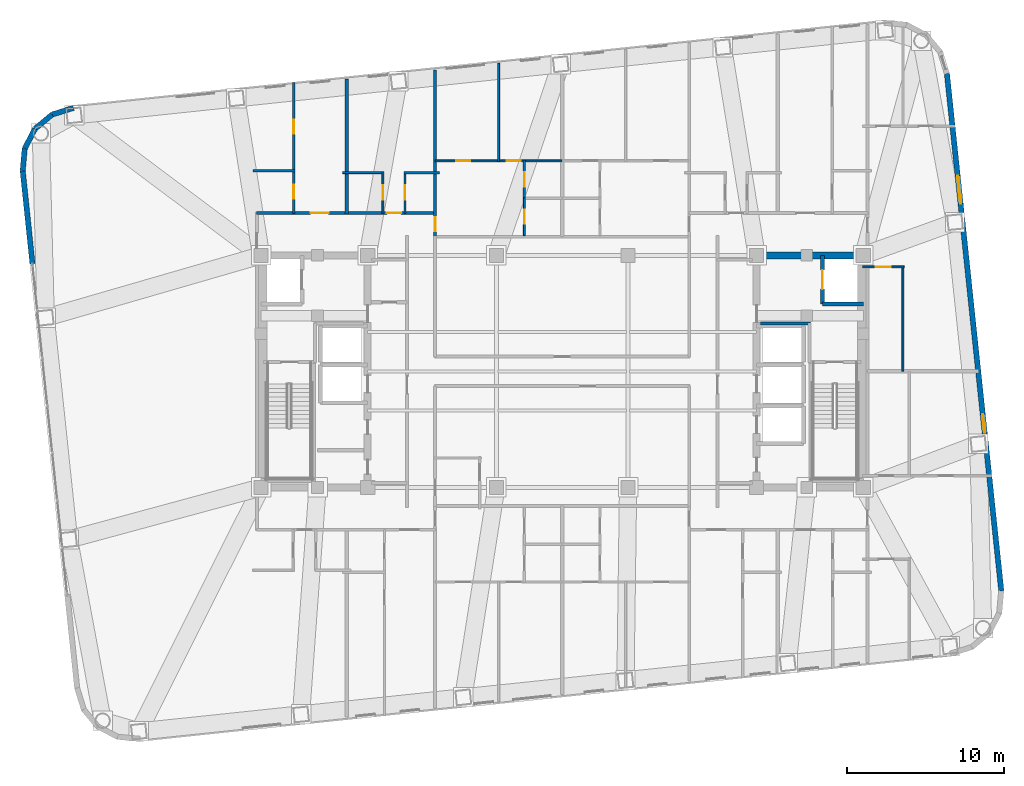
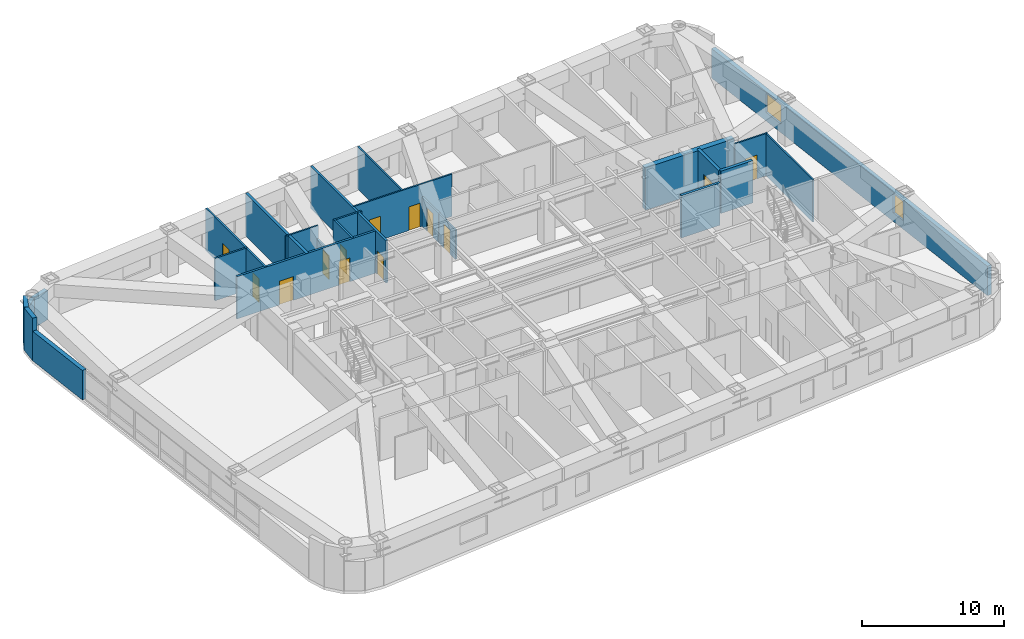
# One storey, part 10 of 14: 26 walls, 13 doors, 2 windows, 15 openings.
"""IFC4 building model written with IfcOpenShell, lengths in metres."""

from ifc_helpers import new_model, si_unit, direction, frame, frame_2d, origin, place, context, subcontext, project, spatial, rectangle, extrude, material, layer, layer_set, type_object, element, fill, save


model = new_model("IFC4")

# Units and contexts
model_context = context("Model", 3, precision=1e-05, world=origin(), true_north=direction((0.0, 1.0)))
body_context = subcontext(model_context, "Body", "Model", "MODEL_VIEW")
ifc_project = project(units=[si_unit("LENGTHUNIT", "METRE"), si_unit("AREAUNIT", "SQUARE_METRE"), si_unit("VOLUMEUNIT", "CUBIC_METRE"), si_unit("PLANEANGLEUNIT", "RADIAN"), si_unit("MASSUNIT", "GRAM", prefix="KILO")], contexts=[model_context])

# Site, building, storey
site_placement = place(None, origin())
site = spatial("IfcSite", under=ifc_project, at=site_placement, CompositionType="ELEMENT")
building_placement = place(site_placement, origin())
building = spatial("IfcBuilding", under=site, at=building_placement, Name="Voryun Gate Residences", CompositionType="ELEMENT")
storey_placement = place(building_placement, frame((0.0, 0.0, 144.300048828125)))
storey = spatial("IfcBuildingStorey", under=building, at=storey_placement, Name="L35", CompositionType="ELEMENT", Elevation=144.300048828125)

# Wall
ifc_material_1 = material(Name="Concrete C50/60", Category="concrete")
ifc_layer_1 = layer(ifc_material_1, 0.449951171875, Name="CW_CORE_450")
ifc_layer_set_1 = layer_set([ifc_layer_1], Name="Concrete C50/60")
wall_type_1 = type_object("IfcWallType", Name="CW_CORE_450", PredefinedType="SHEAR", material=ifc_layer_set_1)
wall_1_placement = place(storey_placement, frame((12.175048828125, 7.39990234375, 0.0), z_axis=(0.0, 0.0, 1.0), x_axis=(1.0, 0.0, 0.0)))
element("IfcWall", 1, at=wall_1_placement, inside=storey, type_object=wall_type_1, Name="L35 Core shear wall CW-L35-EN", PredefinedType="SHEAR", context=body_context, shape_type="SweptSolid", body=[
    extrude(rectangle(XDim=7.25, YDim=0.449951171875, at=frame_2d((3.625, 0.0))), origin(), (0.0, 0.0, 1.0), 3.64990234375),
])

# Wall, openings, doors
ifc_material_2 = material(Name="Gypsum acoustic fireboard")
ifc_layer_2 = layer(ifc_material_2, 0.179931640625, Name="W_CORR_RATED_180")
ifc_layer_set_2 = layer_set([ifc_layer_2], Name="Gypsum acoustic fireboard")
wall_type_2 = type_object("IfcWallType", Name="W_CORR_RATED_180", PredefinedType="PARTITIONING", material=ifc_layer_set_2)
wall_2_placement = place(storey_placement, frame((-19.5, 10.10009765625, 0.0), z_axis=(0.0, 0.0, 1.0), x_axis=(1.0, 0.0, 0.0)))
wall_2 = element("IfcWall", 2, at=wall_2_placement, inside=storey, type_object=wall_type_2, Name="Partition wall WP-L35-NCORR-W", PredefinedType="PARTITIONING", context=body_context, shape_type="SweptSolid", body=[
    extrude(rectangle(XDim=11.419921875, YDim=0.179931640625, at=frame_2d((5.7099609375, 0.0))), origin(), (0.0, 0.0, 1.0), 3.64990234375),
])
opening_1_placement = place(wall_2_placement, frame((3.46435546875, 0.0, 0.0)))
opening_1 = element("IfcOpeningElement", 3, at=opening_1_placement, cuts=wall_2, Name="Opening D-UNIT-1", PredefinedType="OPENING", context=body_context, shape_type="SweptSolid", body=[
    extrude(rectangle(XDim=1.14990234375, YDim=2.050048828125, at=frame_2d((0.574951171875, 1.02490234375))), frame((0.0, 0.099853515625, 0.0), z_axis=(0.0, -1.0, 0.0), x_axis=(1.0, 0.0, 0.0)), (0.0, 0.0, 1.0), 0.199951171875),
])
opening_2_placement = place(wall_2_placement, frame((8.32275390625, 0.0, 0.0)))
opening_2 = element("IfcOpeningElement", 4, at=opening_2_placement, cuts=wall_2, Name="Opening D-INT-2", PredefinedType="OPENING", context=body_context, shape_type="SweptSolid", body=[
    extrude(rectangle(XDim=0.89990234375, YDim=2.050048828125, at=frame_2d((0.449951171875, 1.02490234375))), frame((0.0, 0.099853515625, 0.0), z_axis=(0.0, -1.0, 0.0), x_axis=(1.0, 0.0, 0.0)), (0.0, 0.0, 1.0), 0.199951171875),
])
ifc_material_3 = material(Name="Architectural oak veneer")
door_type_1 = type_object("IfcDoorType", Name="DR_INT_BATH_900", OperationType="NOTDEFINED", PredefinedType="DOOR", material=ifc_material_3)
door_1_placement = place(opening_2_placement, origin())
door_1 = element("IfcDoor", 5, at=door_1_placement, inside=storey, type_object=door_type_1, Name="Door DR-L35-NENT-2", OperationType="SINGLE_SWING_RIGHT", OverallHeight=2.050048828125, OverallWidth=0.89990234375, PredefinedType="DOOR", context=body_context, shape_type="SweptSolid", body=[
    extrude(rectangle(XDim=0.89990234375, YDim=2.050048828125, at=frame_2d((0.449951171875, 1.02490234375))), frame((0.0, 0.02490234375, 0.0), z_axis=(0.0, -1.0, 0.0), x_axis=(1.0, 0.0, 0.0)), (0.0, 0.0, 1.0), 0.050048828125),
])
fill(opening_2, door_1)
ifc_material_4 = material(Name="Armoured timber-clad fire door", Category="wood")
door_type_2 = type_object("IfcDoorType", Name="DR_UNIT_ENTRY_1150", OperationType="NOTDEFINED", PredefinedType="DOOR", material=ifc_material_4)
door_2_placement = place(opening_1_placement, origin())
door_2 = element("IfcDoor", 6, at=door_2_placement, inside=storey, type_object=door_type_2, Name="Door DR-L35-NENT-1", OperationType="SINGLE_SWING_LEFT", OverallHeight=2.050048828125, OverallWidth=1.14990234375, PredefinedType="DOOR", context=body_context, shape_type="SweptSolid", body=[
    extrude(rectangle(XDim=1.14990234375, YDim=2.050048828125, at=frame_2d((0.574951171875, 1.02490234375))), frame((0.0, 0.02490234375, 0.0), z_axis=(0.0, -1.0, 0.0), x_axis=(1.0, 0.0, 0.0)), (0.0, 0.0, 1.0), 0.050048828125),
])
fill(opening_1, door_2)

# Wall, opening, door
wall_3_placement = place(storey_placement, frame((-8.10009765625, 8.590087890625, 0.0), z_axis=(0.0, 0.0, 1.0), x_axis=(0.0, 1.0, 0.0)))
wall_3 = element("IfcWall", 7, at=wall_3_placement, inside=storey, type_object=wall_type_2, Name="Partition wall WP-L35-NZV-1", PredefinedType="PARTITIONING", context=body_context, shape_type="SweptSolid", body=[
    extrude(rectangle(XDim=10.63623046875, YDim=0.179931640625, at=frame_2d((5.318115234375, 0.0))), origin(), (0.0, 0.0, 1.0), 3.64990234375),
])
opening_3_placement = place(wall_3_placement, frame((0.349853515625, 0.0, 0.0)))
opening_3 = element("IfcOpeningElement", 8, at=opening_3_placement, cuts=wall_3, Name="Opening D-INT-2", PredefinedType="OPENING", context=body_context, shape_type="SweptSolid", body=[
    extrude(rectangle(XDim=0.89990234375, YDim=2.050048828125, at=frame_2d((0.449951171875, 1.02490234375))), frame((0.0, 0.099853515625, 0.0), z_axis=(0.0, -1.0, 0.0), x_axis=(1.0, 0.0, 0.0)), (0.0, 0.0, 1.0), 0.199951171875),
])
door_3_placement = place(opening_3_placement, origin())
door_3 = element("IfcDoor", 9, at=door_3_placement, inside=storey, type_object=door_type_1, Name="Door DR-L35-NZENT-1", OperationType="SINGLE_SWING_LEFT", OverallHeight=2.050048828125, OverallWidth=0.89990234375, PredefinedType="DOOR", context=body_context, shape_type="SweptSolid", body=[
    extrude(rectangle(XDim=0.89990234375, YDim=2.050048828125, at=frame_2d((0.449951171875, 1.02490234375))), frame((0.0, 0.02490234375, 0.0), z_axis=(0.0, -1.0, 0.0), x_axis=(1.0, 0.0, 0.0)), (0.0, 0.0, 1.0), 0.050048828125),
])
fill(opening_3, door_3)

# Walls
ifc_material_5 = material(Name="Charcoal terracotta masonry", Category="masonry")
ifc_layer_3 = layer(ifc_material_5, 0.340087890625, Name="W_EXT_TERRACOTTA_340")
ifc_layer_set_3 = layer_set([ifc_layer_3], Name="Charcoal terracotta masonry")
wall_type_3 = type_object("IfcWallType", Name="W_EXT_TERRACOTTA_340", PredefinedType="ELEMENTEDWALL", material=ifc_layer_set_3)
wall_4_placement = place(storey_placement, frame((-33.777099609375, 6.85791015625, 0.0), z_axis=(0.0, 0.0, 1.0), x_axis=(-0.104527253976, 0.994522022469, 0.0)))
element("IfcWall", 10, at=wall_4_placement, inside=storey, type_object=wall_type_3, Name="Exterior wall WEXT-L35-06B", PredefinedType="ELEMENTEDWALL", context=body_context, shape_type="SweptSolid", body=[
    extrude(rectangle(XDim=5.969970703125, YDim=0.340087890625, at=frame_2d((2.98486328125, 0.0))), origin(), (0.0, 0.0, 1.0), 2.5400390625),
])
wall_5_placement = place(storey_placement, frame((-34.401123046875, 12.795166015625, 0.0), z_axis=(0.0, 0.0, 1.0), x_axis=(0.091534682358, 0.995801888894, 0.0)))
element("IfcWall", 11, at=wall_5_placement, inside=storey, type_object=wall_type_3, Name="Exterior wall WEXT-L35-07", PredefinedType="ELEMENTEDWALL", context=body_context, shape_type="SweptSolid", body=[
    extrude(rectangle(XDim=1.432373046875, YDim=0.340087890625, at=frame_2d((0.71630859375, 0.0))), origin(), (0.0, 0.0, 1.0), 3.64990234375),
])
wall_6_placement = place(storey_placement, frame((-34.27001953125, 14.221435546875, 0.0), z_axis=(0.0, 0.0, 1.0), x_axis=(0.465682431293, 0.884951904447, 0.0)))
element("IfcWall", 12, at=wall_6_placement, inside=storey, type_object=wall_type_3, Name="Exterior wall WEXT-L35-08", PredefinedType="ELEMENTEDWALL", context=body_context, shape_type="SweptSolid", body=[
    extrude(rectangle(XDim=1.4150390625, YDim=0.340087890625, at=frame_2d((0.70751953125, 0.0))), origin(), (0.0, 0.0, 1.0), 3.64990234375),
])
wall_7_placement = place(storey_placement, frame((-33.611083984375, 15.4736328125, 0.0), z_axis=(0.0, 0.0, 1.0), x_axis=(0.768843196093, 0.639437361921, 0.0)))
element("IfcWall", 13, at=wall_7_placement, inside=storey, type_object=wall_type_3, Name="Exterior wall WEXT-L35-09", PredefinedType="ELEMENTEDWALL", context=body_context, shape_type="SweptSolid", body=[
    extrude(rectangle(XDim=1.4150390625, YDim=0.340087890625, at=frame_2d((0.70751953125, 0.0))), origin(), (0.0, 0.0, 1.0), 2.5400390625),
])
wall_8_placement = place(storey_placement, frame((-32.523193359375, 16.37841796875, 0.0), z_axis=(0.0, 0.0, 1.0), x_axis=(0.9549942197, 0.296624409546, 0.0)))
element("IfcWall", 14, at=wall_8_placement, inside=storey, type_object=wall_type_3, Name="Exterior wall WEXT-L35-10", PredefinedType="ELEMENTEDWALL", context=body_context, shape_type="SweptSolid", body=[
    extrude(rectangle(XDim=1.43212890625, YDim=0.340087890625, at=frame_2d((0.716064453125, 0.0))), origin(), (0.0, 0.0, 1.0), 2.5400390625),
])

# Wall, openings, windows
wall_9_placement = place(storey_placement, frame((24.5341796875, 18.989501953125, 0.0), z_axis=(0.0, 0.0, 1.0), x_axis=(0.104534959766, -0.994521212537, 0.0)))
wall_9 = element("IfcWall", 15, at=wall_9_placement, inside=storey, type_object=wall_type_3, Name="Exterior wall WEXT-L35-16", PredefinedType="ELEMENTEDWALL", context=body_context, shape_type="SweptSolid", body=[
    extrude(rectangle(XDim=33.166259765625, YDim=0.340087890625, at=frame_2d((16.5830078125, 0.0))), origin(), (0.0, 0.0, 1.0), 2.5400390625),
])
opening_4_placement = place(wall_9_placement, frame((6.54150390625, 0.0, 0.75)))
opening_4 = element("IfcOpeningElement", 16, at=opening_4_placement, cuts=wall_9, Name="Opening WN1", PredefinedType="OPENING", context=body_context, shape_type="SweptSolid", body=[
    extrude(rectangle(XDim=1.800048828125, YDim=1.6298828125, at=frame_2d((0.89990234375, 0.81494140625))), frame((0.0, 0.179931640625, 0.0), z_axis=(0.0, -1.0, 0.0), x_axis=(1.0, 0.0, 0.0)), (0.0, 0.0, 1.0), 0.360107421875),
])
opening_5_placement = place(wall_9_placement, frame((21.840087890625, 0.0, 0.75)))
opening_5 = element("IfcOpeningElement", 17, at=opening_5_placement, cuts=wall_9, Name="Opening WN6", PredefinedType="OPENING", context=body_context, shape_type="SweptSolid", body=[
    extrude(rectangle(XDim=1.199951171875, YDim=1.6298828125, at=frame_2d((0.60009765625, 0.81494140625))), frame((0.0, 0.179931640625, 0.0), z_axis=(0.0, -1.0, 0.0), x_axis=(1.0, 0.0, 0.0)), (0.0, 0.0, 1.0), 0.360107421875),
])
ifc_material_6 = material(Name="Laminated low-E glass", Category="glass")
window_type_1 = type_object("IfcWindowType", Name="WN_POD_SLOT_1200", PartitioningType="SINGLE_PANEL", PredefinedType="WINDOW", material=ifc_material_6)
window_1_placement = place(opening_5_placement, origin())
window_1 = element("IfcWindow", 18, at=window_1_placement, inside=storey, type_object=window_type_1, Name="Window WN-L35-DWFIX-20", OverallHeight=1.6298828125, OverallWidth=1.199951171875, PartitioningType="SINGLE_PANEL", PredefinedType="WINDOW", context=body_context, shape_type="SweptSolid", body=[
    extrude(rectangle(XDim=1.199951171875, YDim=1.6298828125, at=frame_2d((0.60009765625, 0.81494140625))), frame((0.0, 0.030029296875, 0.0), z_axis=(0.0, -1.0, 0.0), x_axis=(1.0, 0.0, 0.0)), (0.0, 0.0, 1.0), 0.06005859375),
])
fill(opening_5, window_1)
ifc_material_7 = material(Name="Laminated low-E glass", Category="glass")
window_type_2 = type_object("IfcWindowType", Name="WN_RES_PUNCH_1800", PartitioningType="SINGLE_PANEL", PredefinedType="WINDOW", material=ifc_material_7)
window_2_placement = place(opening_4_placement, origin())
window_2 = element("IfcWindow", 19, at=window_2_placement, inside=storey, type_object=window_type_2, Name="Window WN-WEXT-L35-16-01", OverallHeight=1.6298828125, OverallWidth=1.800048828125, PartitioningType="SINGLE_PANEL", PredefinedType="WINDOW", context=body_context, shape_type="SweptSolid", body=[
    extrude(rectangle(XDim=1.800048828125, YDim=1.6298828125, at=frame_2d((0.89990234375, 0.81494140625))), frame((0.0, 0.030029296875, 0.0), z_axis=(0.0, -1.0, 0.0), x_axis=(1.0, 0.0, 0.0)), (0.0, 0.0, 1.0), 0.06005859375),
])
fill(opening_4, window_2)

# Walls
ifc_material_8 = material(Name="Concrete C40/50", Category="concrete")
ifc_layer_4 = layer(ifc_material_8, 0.199951171875, Name="W_FF_LOBBY_200")
ifc_layer_set_4 = layer_set([ifc_layer_4], Name="Concrete C40/50")
wall_type_4 = type_object("IfcWallType", Name="W_FF_LOBBY_200", PredefinedType="PARTITIONING", material=ifc_layer_set_4)
wall_10_placement = place(storey_placement, frame((12.659912109375, 3.06005859375, 0.0), z_axis=(0.0, 0.0, 1.0), x_axis=(1.0, 0.0, 0.0)))
element("IfcWall", 20, at=wall_10_placement, inside=storey, type_object=wall_type_4, Name="Partition wall WP-L35-FFPS-E", PredefinedType="PARTITIONING", context=body_context, shape_type="SweptSolid", body=[
    extrude(rectangle(XDim=3.16015625, YDim=0.199951171875, at=frame_2d((1.580078125, 0.0))), origin(), (0.0, 0.0, 1.0), 3.64990234375),
])
ifc_material_9 = material(Name="Concrete C40/50", Category="concrete")
ifc_layer_5 = layer(ifc_material_9, 0.219970703125, Name="W_PARTY_ACOUSTIC_220")
ifc_layer_set_5 = layer_set([ifc_layer_5], Name="Concrete C40/50")
wall_type_5 = type_object("IfcWallType", Name="W_PARTY_ACOUSTIC_220", PredefinedType="PARTITIONING", material=ifc_layer_set_5)
wall_11_placement = place(storey_placement, frame((-13.739990234375, 10.02001953125, 0.0), z_axis=(0.0, 0.0, 1.0), x_axis=(0.0, 1.0, 0.0)))
element("IfcWall", 21, at=wall_11_placement, inside=storey, type_object=wall_type_5, Name="Partition wall WP-L35-NPTY-1", PredefinedType="PARTITIONING", context=body_context, shape_type="SweptSolid", body=[
    extrude(rectangle(XDim=8.613525390625, YDim=0.219970703125, at=frame_2d((4.306640625, 0.0))), origin(), (0.0, 0.0, 1.0), 3.64990234375),
])
ifc_material_10 = material(Name="Concrete C50/60", Category="concrete")
ifc_layer_6 = layer(ifc_material_10, 0.25, Name="W_SHAFT_RC250")
ifc_layer_set_6 = layer_set([ifc_layer_6], Name="Concrete C50/60")
wall_type_6 = type_object("IfcWallType", Name="W_SHAFT_RC250", PredefinedType="SOLIDWALL", material=ifc_layer_set_6)
wall_12_placement = place(storey_placement, frame((16.60009765625, 4.300048828125, 0.0), z_axis=(0.0, 0.0, 1.0), x_axis=(1.0, 0.0, 0.0)))
element("IfcWall", 22, at=wall_12_placement, inside=storey, type_object=wall_type_6, Name="Lift shaft wall WSH-L35-EL-FF-E1-S", PredefinedType="SOLIDWALL", context=body_context, shape_type="SweptSolid", body=[
    extrude(rectangle(XDim=2.599853515625, YDim=0.25, at=frame_2d((1.2998046875, 0.0))), origin(), (0.0, 0.0, 1.0), 3.64990234375),
])

# Wall, opening, door
wall_13_placement = place(storey_placement, frame((16.60009765625, 7.39990234375, 0.0), z_axis=(0.0, 0.0, 1.0), x_axis=(0.0, -1.0, 0.0)))
wall_13 = element("IfcWall", 23, at=wall_13_placement, inside=storey, type_object=wall_type_6, Name="Lift shaft wall WSH-L35-EL-FF-E1-W", PredefinedType="SOLIDWALL", context=body_context, shape_type="SweptSolid", body=[
    extrude(rectangle(XDim=3.099853515625, YDim=0.25, at=frame_2d((1.5498046875, 0.0))), origin(), (0.0, 0.0, 1.0), 3.64990234375),
])
opening_6_placement = place(wall_13_placement, frame((0.949951171875, 0.0, 0.0)))
opening_6 = element("IfcOpeningElement", 24, at=opening_6_placement, cuts=wall_13, Name="Opening LD1", PredefinedType="OPENING", context=body_context, shape_type="SweptSolid", body=[
    extrude(rectangle(XDim=1.199951171875, YDim=2.050048828125, at=frame_2d((0.60009765625, 1.02490234375))), frame((0.0, 0.135009765625, 0.0), z_axis=(0.0, -1.0, 0.0), x_axis=(1.0, 0.0, 0.0)), (0.0, 0.0, 1.0), 0.27001953125),
])
ifc_material_11 = material(Name="Anodised aluminium", Category="aluminium")
door_type_3 = type_object("IfcDoorType", Name="DR_LD_FF_1200", OperationType="NOTDEFINED", PredefinedType="DOOR", material=ifc_material_11)
door_4_placement = place(opening_6_placement, origin())
door_4 = element("IfcDoor", 25, at=door_4_placement, inside=storey, type_object=door_type_3, Name="Lift EL-FF-E1 sliding landing door L35", OperationType="SLIDING_TO_LEFT", OverallHeight=2.050048828125, OverallWidth=1.199951171875, PredefinedType="DOOR", context=body_context, shape_type="SweptSolid", body=[
    extrude(rectangle(XDim=1.199951171875, YDim=2.050048828125, at=frame_2d((0.60009765625, 1.02490234375))), frame((0.0, 0.02490234375, 0.0), z_axis=(0.0, -1.0, 0.0), x_axis=(1.0, 0.0, 0.0)), (0.0, 0.0, 1.0), 0.050048828125),
])
fill(opening_6, door_4)

ifc_material_12 = material(Name="Gypsum acoustic partition")
ifc_layer_7 = layer(ifc_material_12, 0.125, Name="W_UNIT_PART_125")
ifc_layer_set_7 = layer_set([ifc_layer_7], Name="Gypsum acoustic partition")
wall_type_7 = type_object("IfcWallType", Name="W_UNIT_PART_125", PredefinedType="PARTITIONING", material=ifc_layer_set_7)
wall_14_placement = place(storey_placement, frame((-11.429931640625, 10.080078125, 0.0), z_axis=(0.0, 0.0, 1.0), x_axis=(0.0, 1.0, 0.0)))
wall_14 = element("IfcWall", 26, at=wall_14_placement, inside=storey, type_object=wall_type_7, Name="Partition wall WP-L35-N2-CVK", PredefinedType="PARTITIONING", context=body_context, shape_type="SweptSolid", body=[
    extrude(rectangle(XDim=2.64990234375, YDim=0.125, at=frame_2d((1.324951171875, 0.0))), origin(), (0.0, 0.0, 1.0), 2.5400390625),
])
opening_7_placement = place(wall_14_placement, frame((0.875, 0.0, 0.0)))
opening_7 = element("IfcOpeningElement", 27, at=opening_7_placement, cuts=wall_14, Name="Opening D-INT-2", PredefinedType="OPENING", context=body_context, shape_type="SweptSolid", body=[
    extrude(rectangle(XDim=0.89990234375, YDim=2.050048828125, at=frame_2d((0.449951171875, 1.02490234375))), frame((0.0, 0.072509765625, 0.0), z_axis=(0.0, -1.0, 0.0), x_axis=(1.0, 0.0, 0.0)), (0.0, 0.0, 1.0), 0.14501953125),
])
door_5_placement = place(opening_7_placement, origin())
door_5 = element("IfcDoor", 28, at=door_5_placement, inside=storey, type_object=door_type_1, Name="Door DR-L35-N2-DK", OperationType="SINGLE_SWING_LEFT", OverallHeight=2.050048828125, OverallWidth=0.89990234375, PredefinedType="DOOR", context=body_context, shape_type="SweptSolid", body=[
    extrude(rectangle(XDim=0.89990234375, YDim=2.050048828125, at=frame_2d((0.449951171875, 1.02490234375))), frame((0.0, 0.02490234375, 0.0), z_axis=(0.0, -1.0, 0.0), x_axis=(1.0, 0.0, 0.0)), (0.0, 0.0, 1.0), 0.050048828125),
])
fill(opening_7, door_5)

# Wall
wall_15_placement = place(storey_placement, frame((-14.0, 12.669921875, 0.0), z_axis=(0.0, 0.0, 1.0), x_axis=(1.0, 0.0, 0.0)))
element("IfcWall", 29, at=wall_15_placement, inside=storey, type_object=wall_type_7, Name="Partition wall WP-L35-N2-CHK", PredefinedType="PARTITIONING", context=body_context, shape_type="SweptSolid", body=[
    extrude(rectangle(XDim=2.6298828125, YDim=0.125, at=frame_2d((1.31494140625, 0.0))), origin(), (0.0, 0.0, 1.0), 3.64990234375),
])

# Wall, openings, doors
wall_16_placement = place(storey_placement, frame((-8.080078125, 13.429931640625, 0.0), z_axis=(0.0, 0.0, 1.0), x_axis=(1.0, 0.0, 0.0)))
wall_16 = element("IfcWall", 30, at=wall_16_placement, inside=storey, type_object=wall_type_7, Name="Partition wall WP-L35-NC1-HZ", PredefinedType="PARTITIONING", context=body_context, shape_type="SweptSolid", body=[
    extrude(rectangle(XDim=8.06005859375, YDim=0.125, at=frame_2d((4.030029296875, 0.0))), origin(), (0.0, 0.0, 1.0), 3.64990234375),
])
opening_8_placement = place(wall_16_placement, frame((1.3232421875, 0.0, 0.0)))
opening_8 = element("IfcOpeningElement", 31, at=opening_8_placement, cuts=wall_16, Name="Opening D-INT-2", PredefinedType="OPENING", context=body_context, shape_type="SweptSolid", body=[
    extrude(rectangle(XDim=0.89990234375, YDim=2.050048828125, at=frame_2d((0.449951171875, 1.02490234375))), frame((0.0, 0.072509765625, 0.0), z_axis=(0.0, -1.0, 0.0), x_axis=(1.0, 0.0, 0.0)), (0.0, 0.0, 1.0), 0.14501953125),
])
opening_9_placement = place(wall_16_placement, frame((4.547119140625, 0.0, 0.0)))
opening_9 = element("IfcOpeningElement", 32, at=opening_9_placement, cuts=wall_16, Name="Opening D-INT-2", PredefinedType="OPENING", context=body_context, shape_type="SweptSolid", body=[
    extrude(rectangle(XDim=0.89990234375, YDim=2.050048828125, at=frame_2d((0.449951171875, 1.02490234375))), frame((0.0, 0.072509765625, 0.0), z_axis=(0.0, -1.0, 0.0), x_axis=(1.0, 0.0, 0.0)), (0.0, 0.0, 1.0), 0.14501953125),
])
door_6_placement = place(opening_8_placement, origin())
door_6 = element("IfcDoor", 33, at=door_6_placement, inside=storey, type_object=door_type_1, Name="Door DR-L35-NC1-DMB", OperationType="SINGLE_SWING_LEFT", OverallHeight=2.050048828125, OverallWidth=0.89990234375, PredefinedType="DOOR", context=body_context, shape_type="SweptSolid", body=[
    extrude(rectangle(XDim=0.89990234375, YDim=2.050048828125, at=frame_2d((0.449951171875, 1.02490234375))), frame((0.0, 0.02490234375, 0.0), z_axis=(0.0, -1.0, 0.0), x_axis=(1.0, 0.0, 0.0)), (0.0, 0.0, 1.0), 0.050048828125),
])
fill(opening_8, door_6)
door_7_placement = place(opening_9_placement, origin())
door_7 = element("IfcDoor", 34, at=door_7_placement, inside=storey, type_object=door_type_1, Name="Door DR-L35-NC1-DBD2", OperationType="SINGLE_SWING_RIGHT", OverallHeight=2.050048828125, OverallWidth=0.89990234375, PredefinedType="DOOR", context=body_context, shape_type="SweptSolid", body=[
    extrude(rectangle(XDim=0.89990234375, YDim=2.050048828125, at=frame_2d((0.449951171875, 1.02490234375))), frame((0.0, 0.02490234375, 0.0), z_axis=(0.0, -1.0, 0.0), x_axis=(1.0, 0.0, 0.0)), (0.0, 0.0, 1.0), 0.050048828125),
])
fill(opening_9, door_7)

# Wall, opening, door
wall_17_placement = place(storey_placement, frame((-2.409912109375, 8.64990234375, 0.0), z_axis=(0.0, 0.0, 1.0), x_axis=(0.0, 1.0, 0.0)))
wall_17 = element("IfcWall", 35, at=wall_17_placement, inside=storey, type_object=wall_type_7, Name="Partition wall WP-L35-NC1-VK1", PredefinedType="PARTITIONING", context=body_context, shape_type="SweptSolid", body=[
    extrude(rectangle(XDim=2.41015625, YDim=0.125, at=frame_2d((1.205078125, 0.0))), origin(), (0.0, 0.0, 1.0), 2.5400390625),
])
opening_10_placement = place(wall_17_placement, frame((0.7548828125, 0.0, 0.0)))
opening_10 = element("IfcOpeningElement", 36, at=opening_10_placement, cuts=wall_17, Name="Opening D-INT-2", PredefinedType="OPENING", context=body_context, shape_type="SweptSolid", body=[
    extrude(rectangle(XDim=0.89990234375, YDim=2.050048828125, at=frame_2d((0.449951171875, 1.02490234375))), frame((0.0, 0.072509765625, 0.0), z_axis=(0.0, -1.0, 0.0), x_axis=(1.0, 0.0, 0.0)), (0.0, 0.0, 1.0), 0.14501953125),
])
door_8_placement = place(opening_10_placement, origin())
door_8 = element("IfcDoor", 37, at=door_8_placement, inside=storey, type_object=door_type_1, Name="Door DR-L35-NC1-DK", OperationType="SINGLE_SWING_LEFT", OverallHeight=2.050048828125, OverallWidth=0.89990234375, PredefinedType="DOOR", context=body_context, shape_type="SweptSolid", body=[
    extrude(rectangle(XDim=0.89990234375, YDim=2.050048828125, at=frame_2d((0.449951171875, 1.02490234375))), frame((0.0, 0.02490234375, 0.0), z_axis=(0.0, -1.0, 0.0), x_axis=(1.0, 0.0, 0.0)), (0.0, 0.0, 1.0), 0.050048828125),
])
fill(opening_10, door_8)

# Wall
wall_18_placement = place(storey_placement, frame((-4.050048828125, 13.389892578125, 0.0), z_axis=(0.0, 0.0, 1.0), x_axis=(0.0, 1.0, 0.0)))
element("IfcWall", 38, at=wall_18_placement, inside=storey, type_object=wall_type_7, Name="Partition wall WP-L35-NC1-VBD", PredefinedType="PARTITIONING", context=body_context, shape_type="SweptSolid", body=[
    extrude(rectangle(XDim=6.26220703125, YDim=0.125, at=frame_2d((3.131103515625, 0.0))), origin(), (0.0, 0.0, 1.0), 3.64990234375),
])

# Wall, opening, door
wall_19_placement = place(storey_placement, frame((19.14990234375, 6.659912109375, 0.0), z_axis=(0.0, 0.0, 1.0), x_axis=(1.0, 0.0, 0.0)))
wall_19 = element("IfcWall", 39, at=wall_19_placement, inside=storey, type_object=wall_type_7, Name="Partition wall WP-L35-E2-IKA", PredefinedType="PARTITIONING", context=body_context, shape_type="SweptSolid", body=[
    extrude(rectangle(XDim=2.6591796875, YDim=0.125, at=frame_2d((1.32958984375, 0.0))), origin(), (0.0, 0.0, 1.0), 3.64990234375),
])
opening_11_placement = place(wall_19_placement, frame((0.8544921875, 0.0, 0.0)))
opening_11 = element("IfcOpeningElement", 40, at=opening_11_placement, cuts=wall_19, Name="Opening D-INT-1", PredefinedType="OPENING", context=body_context, shape_type="SweptSolid", body=[
    extrude(rectangle(XDim=0.949951171875, YDim=2.050048828125, at=frame_2d((0.47509765625, 1.02490234375))), frame((0.0, 0.072509765625, 0.0), z_axis=(0.0, -1.0, 0.0), x_axis=(1.0, 0.0, 0.0)), (0.0, 0.0, 1.0), 0.14501953125),
])
ifc_material_13 = material(Name="Architectural oak veneer")
door_type_4 = type_object("IfcDoorType", Name="DR_INT_ROOM_950", OperationType="NOTDEFINED", PredefinedType="DOOR", material=ifc_material_13)
door_9_placement = place(opening_11_placement, origin())
door_9 = element("IfcDoor", 41, at=door_9_placement, inside=storey, type_object=door_type_4, Name="Door DR-L35-E2-DK", OperationType="SINGLE_SWING_LEFT", OverallHeight=2.050048828125, OverallWidth=0.949951171875, PredefinedType="DOOR", context=body_context, shape_type="SweptSolid", body=[
    extrude(rectangle(XDim=0.949951171875, YDim=2.050048828125, at=frame_2d((0.47509765625, 1.02490234375))), frame((0.0, 0.02490234375, 0.0), z_axis=(0.0, -1.0, 0.0), x_axis=(1.0, 0.0, 0.0)), (0.0, 0.0, 1.0), 0.050048828125),
])
fill(opening_11, door_9)

# Walls
wall_20_placement = place(storey_placement, frame((21.72900390625, 0.02001953125, 0.0), z_axis=(0.0, 0.0, 1.0), x_axis=(0.0, 1.0, 0.0)))
element("IfcWall", 42, at=wall_20_placement, inside=storey, type_object=wall_type_7, Name="Partition wall WP-L35-E2-VTA", PredefinedType="PARTITIONING", context=body_context, shape_type="SweptSolid", body=[
    extrude(rectangle(XDim=6.719970703125, YDim=0.125, at=frame_2d((3.35986328125, 0.0))), origin(), (0.0, 0.0, 1.0), 3.64990234375),
])
ifc_material_14 = material(Name="Gypsum moisture-resistant partition")
ifc_layer_8 = layer(ifc_material_14, 0.14990234375, Name="W_WET_PLUMB_150")
ifc_layer_set_8 = layer_set([ifc_layer_8], Name="Gypsum moisture-resistant partition")
wall_type_8 = type_object("IfcWallType", Name="W_WET_PLUMB_150", PredefinedType="PLUMBINGWALL", material=ifc_layer_set_8)
wall_21_placement = place(storey_placement, frame((-19.719970703125, 12.800048828125, 0.0), z_axis=(0.0, 0.0, 1.0), x_axis=(1.0, 0.0, 0.0)))
element("IfcWall", 43, at=wall_21_placement, inside=storey, type_object=wall_type_8, Name="Partition wall WP-L35-N1-SKB", PredefinedType="PLUMBINGWALL", context=body_context, shape_type="SweptSolid", body=[
    extrude(rectangle(XDim=2.678955078125, YDim=0.14990234375, at=frame_2d((1.33935546875, 0.0))), origin(), (0.0, 0.0, 1.0), 3.64990234375),
])

# Wall, opening, door
wall_22_placement = place(storey_placement, frame((-17.12109375, 10.080078125, 0.0), z_axis=(0.0, 0.0, 1.0), x_axis=(0.0, 1.0, 0.0)))
wall_22 = element("IfcWall", 44, at=wall_22_placement, inside=storey, type_object=wall_type_8, Name="Partition wall WP-L35-N1-SVT1", PredefinedType="PLUMBINGWALL", context=body_context, shape_type="SweptSolid", body=[
    extrude(rectangle(XDim=2.760009765625, YDim=0.14990234375, at=frame_2d((1.3798828125, 0.0))), origin(), (0.0, 0.0, 1.0), 3.64990234375),
])
opening_12_placement = place(wall_22_placement, frame((0.929931640625, 0.0, 0.0)))
opening_12 = element("IfcOpeningElement", 45, at=opening_12_placement, cuts=wall_22, Name="Opening D-INT-2", PredefinedType="OPENING", context=body_context, shape_type="SweptSolid", body=[
    extrude(rectangle(XDim=0.89990234375, YDim=2.050048828125, at=frame_2d((0.449951171875, 1.02490234375))), frame((0.0, 0.0849609375, 0.0), z_axis=(0.0, -1.0, 0.0), x_axis=(1.0, 0.0, 0.0)), (0.0, 0.0, 1.0), 0.169921875),
])
door_10_placement = place(opening_12_placement, origin())
door_10 = element("IfcDoor", 46, at=door_10_placement, inside=storey, type_object=door_type_1, Name="Door DR-L35-N1-DB", OperationType="SINGLE_SWING_LEFT", OverallHeight=2.050048828125, OverallWidth=0.89990234375, PredefinedType="DOOR", context=body_context, shape_type="SweptSolid", body=[
    extrude(rectangle(XDim=0.89990234375, YDim=2.050048828125, at=frame_2d((0.449951171875, 1.02490234375))), frame((0.0, 0.02490234375, 0.0), z_axis=(0.0, -1.0, 0.0), x_axis=(1.0, 0.0, 0.0)), (0.0, 0.0, 1.0), 0.050048828125),
])
fill(opening_12, door_10)

wall_23_placement = place(storey_placement, frame((-17.12109375, 12.760009765625, 0.0), z_axis=(0.0, 0.0, 1.0), x_axis=(0.0, 1.0, 0.0)))
wall_23 = element("IfcWall", 47, at=wall_23_placement, inside=storey, type_object=wall_type_8, Name="Partition wall WP-L35-N1-SVT2", PredefinedType="PLUMBINGWALL", context=body_context, shape_type="SweptSolid", body=[
    extrude(rectangle(XDim=5.669189453125, YDim=0.14990234375, at=frame_2d((2.83447265625, 0.0))), origin(), (0.0, 0.0, 1.0), 3.64990234375),
])
opening_13_placement = place(wall_23_placement, frame((2.384521484375, 0.0, 0.0)))
opening_13 = element("IfcOpeningElement", 48, at=opening_13_placement, cuts=wall_23, Name="Opening D-INT-2", PredefinedType="OPENING", context=body_context, shape_type="SweptSolid", body=[
    extrude(rectangle(XDim=0.89990234375, YDim=2.050048828125, at=frame_2d((0.449951171875, 1.02490234375))), frame((0.0, 0.0849609375, 0.0), z_axis=(0.0, -1.0, 0.0), x_axis=(1.0, 0.0, 0.0)), (0.0, 0.0, 1.0), 0.169921875),
])
door_11_placement = place(opening_13_placement, origin())
door_11 = element("IfcDoor", 49, at=door_11_placement, inside=storey, type_object=door_type_1, Name="Door DR-L35-N1-DK", OperationType="SINGLE_SWING_RIGHT", OverallHeight=2.050048828125, OverallWidth=0.89990234375, PredefinedType="DOOR", context=body_context, shape_type="SweptSolid", body=[
    extrude(rectangle(XDim=0.89990234375, YDim=2.050048828125, at=frame_2d((0.449951171875, 1.02490234375))), frame((0.0, 0.02490234375, 0.0), z_axis=(0.0, -1.0, 0.0), x_axis=(1.0, 0.0, 0.0)), (0.0, 0.0, 1.0), 0.050048828125),
])
fill(opening_13, door_11)

wall_24_placement = place(storey_placement, frame((-10.02392578125, 10.080078125, 0.0), z_axis=(0.0, 0.0, 1.0), x_axis=(0.0, 1.0, 0.0)))
wall_24 = element("IfcWall", 50, at=wall_24_placement, inside=storey, type_object=wall_type_8, Name="Partition wall WP-L35-N2-CVB", PredefinedType="PLUMBINGWALL", context=body_context, shape_type="SweptSolid", body=[
    extrude(rectangle(XDim=2.64990234375, YDim=0.14990234375, at=frame_2d((1.324951171875, 0.0))), origin(), (0.0, 0.0, 1.0), 3.64990234375),
])
opening_14_placement = place(wall_24_placement, frame((0.875, 0.0, 0.0)))
opening_14 = element("IfcOpeningElement", 51, at=opening_14_placement, cuts=wall_24, Name="Opening D-INT-2", PredefinedType="OPENING", context=body_context, shape_type="SweptSolid", body=[
    extrude(rectangle(XDim=0.89990234375, YDim=2.050048828125, at=frame_2d((0.449951171875, 1.02490234375))), frame((0.0, 0.0849609375, 0.0), z_axis=(0.0, -1.0, 0.0), x_axis=(1.0, 0.0, 0.0)), (0.0, 0.0, 1.0), 0.169921875),
])
door_12_placement = place(opening_14_placement, origin())
door_12 = element("IfcDoor", 52, at=door_12_placement, inside=storey, type_object=door_type_1, Name="Door DR-L35-N2-DB", OperationType="SINGLE_SWING_RIGHT", OverallHeight=2.050048828125, OverallWidth=0.89990234375, PredefinedType="DOOR", context=body_context, shape_type="SweptSolid", body=[
    extrude(rectangle(XDim=0.89990234375, YDim=2.050048828125, at=frame_2d((0.449951171875, 1.02490234375))), frame((0.0, 0.02490234375, 0.0), z_axis=(0.0, -1.0, 0.0), x_axis=(1.0, 0.0, 0.0)), (0.0, 0.0, 1.0), 0.050048828125),
])
fill(opening_14, door_12)

# Wall
wall_25_placement = place(storey_placement, frame((-10.083984375, 12.669921875, 0.0), z_axis=(0.0, 0.0, 1.0), x_axis=(1.0, 0.0, 0.0)))
element("IfcWall", 53, at=wall_25_placement, inside=storey, type_object=wall_type_8, Name="Partition wall WP-L35-N2-CHB", PredefinedType="PLUMBINGWALL", context=body_context, shape_type="SweptSolid", body=[
    extrude(rectangle(XDim=2.263916015625, YDim=0.14990234375, at=frame_2d((1.1318359375, 0.0))), origin(), (0.0, 0.0, 1.0), 3.64990234375),
])

# Wall, opening, door
wall_26_placement = place(storey_placement, frame((-2.409912109375, 11.0, 0.0), z_axis=(0.0, 0.0, 1.0), x_axis=(0.0, 1.0, 0.0)))
wall_26 = element("IfcWall", 54, at=wall_26_placement, inside=storey, type_object=wall_type_8, Name="Partition wall WP-L35-NC1-VK2", PredefinedType="PLUMBINGWALL", context=body_context, shape_type="SweptSolid", body=[
    extrude(rectangle(XDim=2.469970703125, YDim=0.14990234375, at=frame_2d((1.23486328125, 0.0))), origin(), (0.0, 0.0, 1.0), 2.5400390625),
])
opening_15_placement = place(wall_26_placement, frame((0.784912109375, 0.0, 0.0)))
opening_15 = element("IfcOpeningElement", 55, at=opening_15_placement, cuts=wall_26, Name="Opening D-INT-2", PredefinedType="OPENING", context=body_context, shape_type="SweptSolid", body=[
    extrude(rectangle(XDim=0.89990234375, YDim=2.050048828125, at=frame_2d((0.449951171875, 1.02490234375))), frame((0.0, 0.0849609375, 0.0), z_axis=(0.0, -1.0, 0.0), x_axis=(1.0, 0.0, 0.0)), (0.0, 0.0, 1.0), 0.169921875),
])
door_13_placement = place(opening_15_placement, origin())
door_13 = element("IfcDoor", 56, at=door_13_placement, inside=storey, type_object=door_type_1, Name="Door DR-L35-NC1-DB", OperationType="SINGLE_SWING_RIGHT", OverallHeight=2.050048828125, OverallWidth=0.89990234375, PredefinedType="DOOR", context=body_context, shape_type="SweptSolid", body=[
    extrude(rectangle(XDim=0.89990234375, YDim=2.050048828125, at=frame_2d((0.449951171875, 1.02490234375))), frame((0.0, 0.02490234375, 0.0), z_axis=(0.0, -1.0, 0.0), x_axis=(1.0, 0.0, 0.0)), (0.0, 0.0, 1.0), 0.050048828125),
])
fill(opening_15, door_13)

save(model, "model.ifc")
